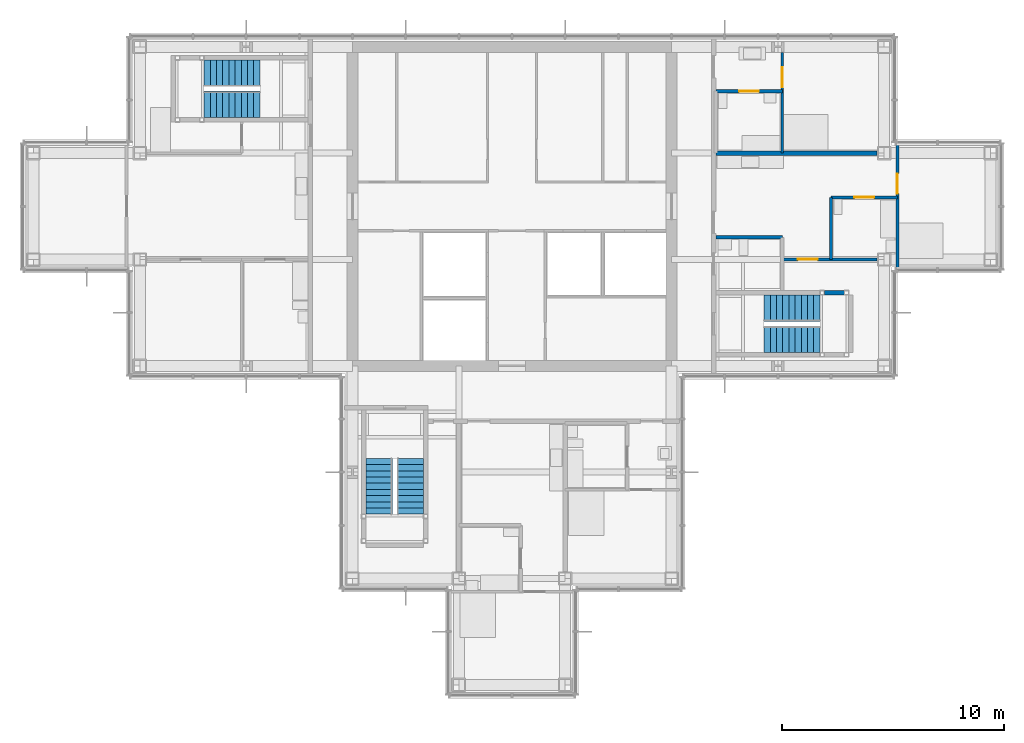
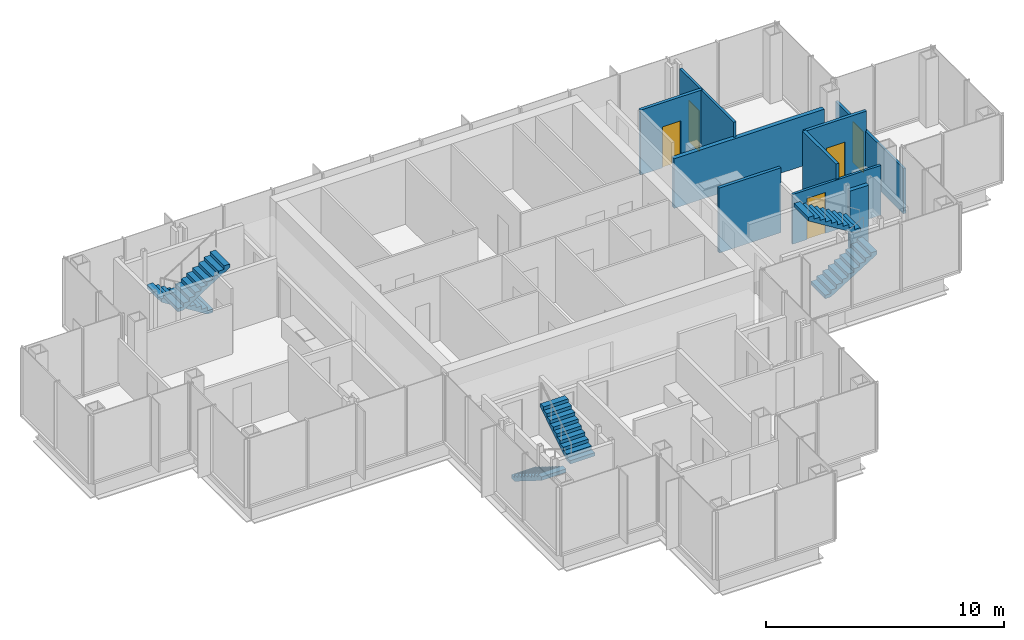
# One storey, part 12 of 15: 9 walls, 6 stair flights, 5 doors, 5 openings, 3 elements without a shape of their own.
"""IFC4 building model written with IfcOpenShell, lengths in metres."""

from ifc_helpers import new_model, si_unit, direction, frame, frame_2d, origin, place, context, subcontext, project, spatial, polyline, rectangle, outline, extrude, material, layer, layer_set, type_object, element, fill, aggregate, save


model = new_model("IFC4")

# Units and contexts
model_context = context("Model", 3, precision=1e-05, world=origin(), true_north=direction((0.0, 1.0)))
body_context = subcontext(model_context, "Body", "Model", "MODEL_VIEW")
ifc_project = project(units=[si_unit("LENGTHUNIT", "METRE"), si_unit("AREAUNIT", "SQUARE_METRE"), si_unit("VOLUMEUNIT", "CUBIC_METRE"), si_unit("PLANEANGLEUNIT", "RADIAN"), si_unit("MASSUNIT", "GRAM", prefix="KILO")], contexts=[model_context])

# Site, building, storey
site_placement = place(None, origin())
site = spatial("IfcSite", under=ifc_project, at=site_placement, CompositionType="ELEMENT")
building_placement = place(site_placement, origin())
building = spatial("IfcBuilding", under=site, at=building_placement, Name="Kvirike Care Tower", CompositionType="ELEMENT")
storey_placement = place(building_placement, frame((0.0, 0.0, 215.5)))
storey = spatial("IfcBuildingStorey", under=building, at=storey_placement, Name="L59", CompositionType="ELEMENT", Elevation=215.5)

# Wall
ifc_material_1 = material(Name="Moisture-resistant board partition", Category="gypsum")
ifc_layer_1 = layer(ifc_material_1, 0.14990234375)
ifc_layer_set_1 = layer_set([ifc_layer_1], Name="BATHROOM WALL 150")
wall_type_1 = type_object("IfcWallType", Name="BATHROOM WALL 150", PredefinedType="PARTITIONING", material=ifc_layer_set_1)
wall_1_placement = place(storey_placement, frame((33.800048828125, 34.60009765625, 0.0), z_axis=(0.0, 0.0, 1.0), x_axis=(-1.0, 0.0, 0.0)))
element("IfcWall", 1, at=wall_1_placement, inside=storey, type_object=wall_type_1, Name="Bathroom Wall 150 L59", PredefinedType="PARTITIONING", context=body_context, shape_type="SweptSolid", body=[
    extrude(rectangle(XDim=3.0, YDim=0.14990234375, at=frame_2d((1.5, 0.0))), origin(), (0.0, 0.0, 1.0), 3.330078125),
])

# Wall, opening, door
wall_2_placement = place(storey_placement, frame((39.0, 36.39990234375, 0.0), z_axis=(0.0, 0.0, 1.0), x_axis=(-1.0, 0.0, 0.0)))
wall_2 = element("IfcWall", 2, at=wall_2_placement, inside=storey, type_object=wall_type_1, Name="Bathroom Wall 150 L59", PredefinedType="PARTITIONING", context=body_context, shape_type="SweptSolid", body=[
    extrude(rectangle(XDim=3.0, YDim=0.14990234375, at=frame_2d((1.5, 0.0))), origin(), (0.0, 0.0, 1.0), 3.330078125),
])
opening_1_placement = place(wall_2_placement, frame((1.050048828125, 0.0, 0.0)))
opening_1 = element("IfcOpeningElement", 3, at=opening_1_placement, cuts=wall_2, Name="Opening 59-015", PredefinedType="OPENING", context=body_context, shape_type="SweptSolid", body=[
    extrude(rectangle(XDim=0.89990234375, YDim=2.10009765625, at=frame_2d((0.449951171875, 1.050048828125))), frame((0.0, 0.08544921875, 0.0), z_axis=(0.0, -1.0, 0.0), x_axis=(1.0, 0.0, 0.0)), (0.0, 0.0, 1.0), 0.1708984375),
])
ifc_material_2 = material(Name="Timber door set", Category="wood")
door_type_1 = type_object("IfcDoorType", Name="BATHROOM DOOR 900", OperationType="SINGLE_SWING_RIGHT", PredefinedType="DOOR", material=ifc_material_2)
door_1_placement = place(opening_1_placement, origin())
door_1 = element("IfcDoor", 4, at=door_1_placement, inside=storey, type_object=door_type_1, Name="Bathroom door", OperationType="SINGLE_SWING_RIGHT", OverallHeight=2.10009765625, OverallWidth=0.89990234375, PredefinedType="DOOR", context=body_context, shape_type="SweptSolid", body=[
    extrude(rectangle(XDim=0.89990234375, YDim=2.10009765625, at=frame_2d((0.449951171875, 1.050048828125))), frame((0.0, 0.02197265625, 0.0), z_axis=(0.0, -1.0, 0.0), x_axis=(1.0, 0.0, 0.0)), (0.0, 0.0, 1.0), 0.0439453125),
])
fill(opening_1, door_1)

# Wall
wall_3_placement = place(storey_placement, frame((36.0, 33.60009765625, 0.0), z_axis=(0.0, 0.0, 1.0), x_axis=(0.0, 1.0, 0.0)))
element("IfcWall", 5, at=wall_3_placement, inside=storey, type_object=wall_type_1, Name="Bathroom Wall 150 L59", PredefinedType="PARTITIONING", context=body_context, shape_type="SweptSolid", body=[
    extrude(rectangle(XDim=2.7998046875, YDim=0.14990234375, at=frame_2d((1.39990234375, 0.0))), origin(), (0.0, 0.0, 1.0), 3.330078125),
])

# Wall, opening, door
wall_4_placement = place(storey_placement, frame((33.800048828125, 41.199951171875, 0.0), z_axis=(0.0, 0.0, 1.0), x_axis=(-1.0, 0.0, 0.0)))
wall_4 = element("IfcWall", 6, at=wall_4_placement, inside=storey, type_object=wall_type_1, Name="Bathroom Wall 150 L59", PredefinedType="PARTITIONING", context=body_context, shape_type="SweptSolid", body=[
    extrude(rectangle(XDim=3.0, YDim=0.14990234375, at=frame_2d((1.5, 0.0))), origin(), (0.0, 0.0, 1.0), 3.330078125),
])
opening_2_placement = place(wall_4_placement, frame((1.050048828125, 0.0, 0.0)))
opening_2 = element("IfcOpeningElement", 7, at=opening_2_placement, cuts=wall_4, Name="Opening 59-018", PredefinedType="OPENING", context=body_context, shape_type="SweptSolid", body=[
    extrude(rectangle(XDim=0.89990234375, YDim=2.10009765625, at=frame_2d((0.449951171875, 1.050048828125))), frame((0.0, 0.08544921875, 0.0), z_axis=(0.0, -1.0, 0.0), x_axis=(1.0, 0.0, 0.0)), (0.0, 0.0, 1.0), 0.1708984375),
])
door_2_placement = place(opening_2_placement, frame((0.89990234375, 0.0, 0.0), z_axis=(0.0, 0.0, 1.0), x_axis=(-1.0, 0.0, 0.0)))
door_2 = element("IfcDoor", 8, at=door_2_placement, inside=storey, type_object=door_type_1, Name="Bathroom door", OperationType="SINGLE_SWING_LEFT", OverallHeight=2.10009765625, OverallWidth=0.89990234375, PredefinedType="DOOR", context=body_context, shape_type="SweptSolid", body=[
    extrude(rectangle(XDim=0.89990234375, YDim=2.10009765625, at=frame_2d((0.449951171875, 1.050048828125))), frame((0.0, 0.02197265625, 0.0), z_axis=(0.0, -1.0, 0.0), x_axis=(1.0, 0.0, 0.0)), (0.0, 0.0, 1.0), 0.0439453125),
])
fill(opening_2, door_2)

ifc_material_3 = material(Name="Plasterboard partition", Category="gypsum")
ifc_layer_2 = layer(ifc_material_3, 0.1201171875)
ifc_layer_set_2 = layer_set([ifc_layer_2], Name="PARTITION 120")
wall_type_2 = type_object("IfcWallType", Name="PARTITION 120", PredefinedType="PARTITIONING", material=ifc_layer_set_2)
wall_5_placement = place(storey_placement, frame((39.0, 33.14501953125, 0.0), z_axis=(0.0, 0.0, 1.0), x_axis=(0.0, 1.0, 0.0)))
wall_5 = element("IfcWall", 9, at=wall_5_placement, inside=storey, type_object=wall_type_2, Name="Partition 120 L59", PredefinedType="PARTITIONING", context=body_context, shape_type="SweptSolid", body=[
    extrude(rectangle(XDim=5.7099609375, YDim=0.1201171875, at=frame_2d((2.85498046875, 0.0))), origin(), (0.0, 0.0, 1.0), 2.320068359375),
])
opening_3_placement = place(wall_5_placement, frame((3.429931640625, 0.0, 0.0)))
opening_3 = element("IfcOpeningElement", 10, at=opening_3_placement, cuts=wall_5, Name="Opening 59-016", PredefinedType="OPENING", context=body_context, shape_type="SweptSolid", body=[
    extrude(rectangle(XDim=0.89990234375, YDim=2.10009765625, at=frame_2d((0.449951171875, 1.050048828125))), frame((0.0, 0.070556640625, 0.0), z_axis=(0.0, -1.0, 0.0), x_axis=(1.0, 0.0, 0.0)), (0.0, 0.0, 1.0), 0.14111328125),
])
ifc_material_4 = material(Name="Timber door set", Category="wood")
door_type_2 = type_object("IfcDoorType", Name="INTERNAL DOOR 900", OperationType="SINGLE_SWING_LEFT", PredefinedType="DOOR", material=ifc_material_4)
door_3_placement = place(opening_3_placement, frame((0.89990234375, 0.0, 0.0), z_axis=(0.0, 0.0, 1.0), x_axis=(-1.0, 0.0, 0.0)))
door_3 = element("IfcDoor", 11, at=door_3_placement, inside=storey, type_object=door_type_2, Name="Apartment bedroom door", OperationType="SINGLE_SWING_RIGHT", OverallHeight=2.10009765625, OverallWidth=0.89990234375, PredefinedType="DOOR", context=body_context, shape_type="SweptSolid", body=[
    extrude(rectangle(XDim=0.89990234375, YDim=2.10009765625, at=frame_2d((0.449951171875, 1.050048828125))), frame((0.0, 0.02197265625, 0.0), z_axis=(0.0, -1.0, 0.0), x_axis=(1.0, 0.0, 0.0)), (0.0, 0.0, 1.0), 0.0439453125),
])
fill(opening_3, door_3)

wall_6_placement = place(storey_placement, frame((38.080078125, 33.60009765625, 0.0), z_axis=(0.0, 0.0, 1.0), x_axis=(-1.0, 0.0, 0.0)))
wall_6 = element("IfcWall", 12, at=wall_6_placement, inside=storey, type_object=wall_type_2, Name="Partition 120 L59", PredefinedType="PARTITIONING", context=body_context, shape_type="SweptSolid", body=[
    extrude(rectangle(XDim=4.280029296875, YDim=0.1201171875, at=frame_2d((2.14013671875, 0.0))), origin(), (0.0, 0.0, 1.0), 2.550048828125),
])
opening_4_placement = place(wall_6_placement, frame((2.679931640625, 0.0, 0.0)))
opening_4 = element("IfcOpeningElement", 13, at=opening_4_placement, cuts=wall_6, Name="Opening 59-017", PredefinedType="OPENING", context=body_context, shape_type="SweptSolid", body=[
    extrude(rectangle(XDim=0.89990234375, YDim=2.10009765625, at=frame_2d((0.449951171875, 1.050048828125))), frame((0.0, 0.070556640625, 0.0), z_axis=(0.0, -1.0, 0.0), x_axis=(1.0, 0.0, 0.0)), (0.0, 0.0, 1.0), 0.14111328125),
])
door_4_placement = place(opening_4_placement, origin())
door_4 = element("IfcDoor", 14, at=door_4_placement, inside=storey, type_object=door_type_2, Name="Connecting door", OperationType="SINGLE_SWING_LEFT", OverallHeight=2.10009765625, OverallWidth=0.89990234375, PredefinedType="DOOR", context=body_context, shape_type="SweptSolid", body=[
    extrude(rectangle(XDim=0.89990234375, YDim=2.10009765625, at=frame_2d((0.449951171875, 1.050048828125))), frame((0.0, 0.02197265625, 0.0), z_axis=(0.0, -1.0, 0.0), x_axis=(1.0, 0.0, 0.0)), (0.0, 0.0, 1.0), 0.0439453125),
])
fill(opening_4, door_4)

wall_7_placement = place(storey_placement, frame((33.800048828125, 38.39990234375, 0.0), z_axis=(0.0, 0.0, 1.0), x_axis=(0.0, 1.0, 0.0)))
wall_7 = element("IfcWall", 15, at=wall_7_placement, inside=storey, type_object=wall_type_2, Name="Partition 120 L59", PredefinedType="PARTITIONING", context=body_context, shape_type="SweptSolid", body=[
    extrude(rectangle(XDim=4.552978515625, YDim=0.1201171875, at=frame_2d((2.2763671875, 0.0))), origin(), (0.0, 0.0, 1.0), 3.330078125),
])
opening_5_placement = place(wall_7_placement, frame((2.97509765625, 0.0, 0.0)))
opening_5 = element("IfcOpeningElement", 16, at=opening_5_placement, cuts=wall_7, Name="Opening 59-019", PredefinedType="OPENING", context=body_context, shape_type="SweptSolid", body=[
    extrude(rectangle(XDim=0.89990234375, YDim=2.10009765625, at=frame_2d((0.449951171875, 1.050048828125))), frame((0.0, 0.070556640625, 0.0), z_axis=(0.0, -1.0, 0.0), x_axis=(1.0, 0.0, 0.0)), (0.0, 0.0, 1.0), 0.14111328125),
])
door_5_placement = place(opening_5_placement, origin())
door_5 = element("IfcDoor", 17, at=door_5_placement, inside=storey, type_object=door_type_2, Name="Studio apartment living room door", OperationType="SINGLE_SWING_RIGHT", OverallHeight=2.10009765625, OverallWidth=0.89990234375, PredefinedType="DOOR", context=body_context, shape_type="SweptSolid", body=[
    extrude(rectangle(XDim=0.89990234375, YDim=2.10009765625, at=frame_2d((0.449951171875, 1.050048828125))), frame((0.0, 0.02197265625, 0.0), z_axis=(0.0, -1.0, 0.0), x_axis=(1.0, 0.0, 0.0)), (0.0, 0.0, 1.0), 0.0439453125),
])
fill(opening_5, door_5)

# Walls
ifc_material_5 = material(Name="Plasterboard party wall", Category="gypsum")
ifc_layer_3 = layer(ifc_material_5, 0.199951171875)
ifc_layer_set_3 = layer_set([ifc_layer_3], Name="PARTY WALL 200")
wall_type_3 = type_object("IfcWallType", Name="PARTY WALL 200", PredefinedType="PARTITIONING", material=ifc_layer_set_3)
wall_8_placement = place(storey_placement, frame((38.080078125, 38.39990234375, 0.0), z_axis=(0.0, 0.0, 1.0), x_axis=(-1.0, 0.0, 0.0)))
element("IfcWall", 18, at=wall_8_placement, inside=storey, type_object=wall_type_3, Name="Party Wall 200 L59", PredefinedType="PARTITIONING", context=body_context, shape_type="SweptSolid", body=[
    extrude(rectangle(XDim=7.280029296875, YDim=0.199951171875, at=frame_2d((3.64013671875, 0.0))), origin(), (0.0, 0.0, 1.0), 2.550048828125),
])
ifc_material_6 = material(Name="Concrete C40/50", Category="concrete")
ifc_layer_4 = layer(ifc_material_6, 0.199951171875)
ifc_layer_set_4 = layer_set([ifc_layer_4], Name="STAIR WALL 200")
wall_type_4 = type_object("IfcWallType", Name="STAIR WALL 200", PredefinedType="SOLIDWALL", material=ifc_layer_set_4)
wall_9_placement = place(storey_placement, frame((36.60009765625, 32.10009765625, 0.0), z_axis=(0.0, 0.0, 1.0), x_axis=(-1.0, 0.0, 0.0)))
element("IfcWall", 19, at=wall_9_placement, inside=storey, type_object=wall_type_4, Name="Stair Wall 200 L59", PredefinedType="SOLIDWALL", context=body_context, shape_type="SweptSolid", body=[
    extrude(rectangle(XDim=0.900146484375, YDim=0.199951171875, at=frame_2d((0.4501953125, 0.0))), origin(), (0.0, 0.0, 1.0), 2.989990234375),
])

# Stair, stair flights
ifc_material_7 = material(Name="Concrete C35/45", Category="concrete")
stair_type = type_object("IfcStairType", Name="STAIR 20 RISERS", PredefinedType="HALF_TURN_STAIR", material=ifc_material_7)
stair_1_placement = place(storey_placement, origin())
stair_1 = element("IfcStair", 20, at=stair_1_placement, inside=storey, type_object=stair_type, Name="Stair 1 L59", PredefinedType="HALF_TURN_STAIR")
ifc_material_8 = material(Name="Concrete C35/45", Category="concrete")
stair_flight_type = type_object("IfcStairFlightType", Name="FLIGHT 10 RISERS", PredefinedType="STRAIGHT", material=ifc_material_8)
stair_flight_1_placement = place(storey_placement, frame((10.219970703125, 42.0, 0.0), z_axis=(0.0, 0.0, 1.0), x_axis=(-1.0, 0.0, 0.0)))
stair_flight_1 = element("IfcStairFlight", 21, at=stair_flight_1_placement, type_object=stair_flight_type, Name="Stair S1 flight 1 L59-L60", NumberOfRisers=10, NumberOfTreads=9, PredefinedType="STRAIGHT", RiserHeight=0.175, TreadLength=0.28, context=body_context, shape_type="SweptSolid", body=[
    extrude(outline(polyline([(0.0, 0.0), (0.0, 0.175048828125), (0.280029296875, 0.175048828125), (0.280029296875, 0.35009765625), (0.56005859375, 0.35009765625), (0.56005859375, 0.52490234375), (0.840087890625, 0.52490234375), (0.840087890625, 0.699951171875), (1.1201171875, 0.699951171875), (1.1201171875, 0.875), (1.39990234375, 0.875), (1.39990234375, 1.050048828125), (1.679931640625, 1.050048828125), (1.679931640625, 1.22509765625), (1.9599609375, 1.22509765625), (1.9599609375, 1.39990234375), (2.239990234375, 1.39990234375), (2.239990234375, 1.574951171875), (2.52001953125, 1.574951171875), (2.52001953125, 1.75), (2.52001953125, 1.398193359375), (0.28271484375, 0.0), (0.0, 0.0)])), frame((0.0, 0.60009765625, 0.0), z_axis=(0.0, -1.0, 0.0), x_axis=(1.0, 0.0, 0.0)), (0.0, 0.0, 1.0), 1.199951171875),
])
stair_flight_2_placement = place(storey_placement, frame((7.699951171875, 40.60009765625, 1.75), z_axis=(0.0, 0.0, 1.0), x_axis=(1.0, 0.0, 0.0)))
stair_flight_2 = element("IfcStairFlight", 22, at=stair_flight_2_placement, type_object=stair_flight_type, Name="Stair S1 flight 2 L59-L60", NumberOfRisers=10, NumberOfTreads=9, PredefinedType="STRAIGHT", RiserHeight=0.175, TreadLength=0.28, context=body_context, shape_type="SweptSolid", body=[
    extrude(outline(polyline([(0.0, 0.0), (0.0, 0.175048828125), (0.280029296875, 0.175048828125), (0.280029296875, 0.35009765625), (0.56005859375, 0.35009765625), (0.56005859375, 0.52490234375), (0.840087890625, 0.52490234375), (0.840087890625, 0.699951171875), (1.1201171875, 0.699951171875), (1.1201171875, 0.875), (1.39990234375, 0.875), (1.39990234375, 1.050048828125), (1.679931640625, 1.050048828125), (1.679931640625, 1.22509765625), (1.9599609375, 1.22509765625), (1.9599609375, 1.39990234375), (2.239990234375, 1.39990234375), (2.239990234375, 1.574951171875), (2.52001953125, 1.574951171875), (2.52001953125, 1.75), (2.52001953125, 1.398193359375), (0.28271484375, 0.0), (0.0, 0.0)])), frame((0.0, 0.60009765625, 0.0), z_axis=(0.0, -1.0, 0.0), x_axis=(1.0, 0.0, 0.0)), (0.0, 0.0, 1.0), 1.199951171875),
])
aggregate(stair_1, [stair_flight_1, stair_flight_2])

stair_2_placement = place(storey_placement, origin())
stair_2 = element("IfcStair", 23, at=stair_2_placement, inside=storey, type_object=stair_type, Name="Stair 2 L59", PredefinedType="HALF_TURN_STAIR")
stair_flight_3_placement = place(storey_placement, frame((32.97998046875, 30.0, 0.0), z_axis=(0.0, 0.0, 1.0), x_axis=(1.0, 0.0, 0.0)))
stair_flight_3 = element("IfcStairFlight", 24, at=stair_flight_3_placement, type_object=stair_flight_type, Name="Stair S2 flight 1 L59-L60", NumberOfRisers=10, NumberOfTreads=9, PredefinedType="STRAIGHT", RiserHeight=0.175, TreadLength=0.28, context=body_context, shape_type="SweptSolid", body=[
    extrude(outline(polyline([(0.0, 0.0), (0.0, 0.175048828125), (0.280029296875, 0.175048828125), (0.280029296875, 0.35009765625), (0.56005859375, 0.35009765625), (0.56005859375, 0.52490234375), (0.840087890625, 0.52490234375), (0.840087890625, 0.699951171875), (1.1201171875, 0.699951171875), (1.1201171875, 0.875), (1.39990234375, 0.875), (1.39990234375, 1.050048828125), (1.679931640625, 1.050048828125), (1.679931640625, 1.22509765625), (1.9599609375, 1.22509765625), (1.9599609375, 1.39990234375), (2.239990234375, 1.39990234375), (2.239990234375, 1.574951171875), (2.52001953125, 1.574951171875), (2.52001953125, 1.75), (2.52001953125, 1.398193359375), (0.28271484375, 0.0), (0.0, 0.0)])), frame((0.0, 0.60009765625, 0.0), z_axis=(0.0, -1.0, 0.0), x_axis=(1.0, 0.0, 0.0)), (0.0, 0.0, 1.0), 1.199951171875),
])
stair_flight_4_placement = place(storey_placement, frame((35.5, 31.39990234375, 1.75), z_axis=(0.0, 0.0, 1.0), x_axis=(-1.0, 0.0, 0.0)))
stair_flight_4 = element("IfcStairFlight", 25, at=stair_flight_4_placement, type_object=stair_flight_type, Name="Stair S2 flight 2 L59-L60", NumberOfRisers=10, NumberOfTreads=9, PredefinedType="STRAIGHT", RiserHeight=0.175, TreadLength=0.28, context=body_context, shape_type="SweptSolid", body=[
    extrude(outline(polyline([(0.0, 0.0), (0.0, 0.175048828125), (0.280029296875, 0.175048828125), (0.280029296875, 0.35009765625), (0.56005859375, 0.35009765625), (0.56005859375, 0.52490234375), (0.840087890625, 0.52490234375), (0.840087890625, 0.699951171875), (1.1201171875, 0.699951171875), (1.1201171875, 0.875), (1.39990234375, 0.875), (1.39990234375, 1.050048828125), (1.679931640625, 1.050048828125), (1.679931640625, 1.22509765625), (1.9599609375, 1.22509765625), (1.9599609375, 1.39990234375), (2.239990234375, 1.39990234375), (2.239990234375, 1.574951171875), (2.52001953125, 1.574951171875), (2.52001953125, 1.75), (2.52001953125, 1.398193359375), (0.28271484375, 0.0), (0.0, 0.0)])), frame((0.0, 0.60009765625, 0.0), z_axis=(0.0, -1.0, 0.0), x_axis=(1.0, 0.0, 0.0)), (0.0, 0.0, 1.0), 1.199951171875),
])
aggregate(stair_2, [stair_flight_3, stair_flight_4])

stair_3_placement = place(storey_placement, origin())
stair_3 = element("IfcStair", 26, at=stair_3_placement, inside=storey, type_object=stair_type, Name="Stair 5 L59", PredefinedType="HALF_TURN_STAIR")
stair_flight_5_placement = place(storey_placement, frame((15.60009765625, 24.6201171875, 0.0), z_axis=(0.0, 0.0, 1.0), x_axis=(0.0, -1.0, 0.0)))
stair_flight_5 = element("IfcStairFlight", 27, at=stair_flight_5_placement, type_object=stair_flight_type, Name="Stair S5 flight 1 L59-L60", NumberOfRisers=10, NumberOfTreads=9, PredefinedType="STRAIGHT", RiserHeight=0.175, TreadLength=0.28, context=body_context, shape_type="SweptSolid", body=[
    extrude(outline(polyline([(0.0, 0.0), (0.0, 0.175048828125), (0.280029296875, 0.175048828125), (0.280029296875, 0.35009765625), (0.56005859375, 0.35009765625), (0.56005859375, 0.52490234375), (0.840087890625, 0.52490234375), (0.840087890625, 0.699951171875), (1.1201171875, 0.699951171875), (1.1201171875, 0.875), (1.39990234375, 0.875), (1.39990234375, 1.050048828125), (1.679931640625, 1.050048828125), (1.679931640625, 1.22509765625), (1.9599609375, 1.22509765625), (1.9599609375, 1.39990234375), (2.239990234375, 1.39990234375), (2.239990234375, 1.574951171875), (2.52001953125, 1.574951171875), (2.52001953125, 1.75), (2.52001953125, 1.398193359375), (0.28271484375, 0.0), (0.0, 0.0)])), frame((0.0, 0.60009765625, 0.0), z_axis=(0.0, -1.0, 0.0), x_axis=(1.0, 0.0, 0.0)), (0.0, 0.0, 1.0), 1.199951171875),
])
stair_flight_6_placement = place(storey_placement, frame((17.0, 22.10009765625, 1.75), z_axis=(0.0, 0.0, 1.0), x_axis=(0.0, 1.0, 0.0)))
stair_flight_6 = element("IfcStairFlight", 28, at=stair_flight_6_placement, type_object=stair_flight_type, Name="Stair S5 flight 2 L59-L60", NumberOfRisers=10, NumberOfTreads=9, PredefinedType="STRAIGHT", RiserHeight=0.175, TreadLength=0.28, context=body_context, shape_type="SweptSolid", body=[
    extrude(outline(polyline([(0.0, 0.0), (0.0, 0.175048828125), (0.280029296875, 0.175048828125), (0.280029296875, 0.35009765625), (0.56005859375, 0.35009765625), (0.56005859375, 0.52490234375), (0.840087890625, 0.52490234375), (0.840087890625, 0.699951171875), (1.1201171875, 0.699951171875), (1.1201171875, 0.875), (1.39990234375, 0.875), (1.39990234375, 1.050048828125), (1.679931640625, 1.050048828125), (1.679931640625, 1.22509765625), (1.9599609375, 1.22509765625), (1.9599609375, 1.39990234375), (2.239990234375, 1.39990234375), (2.239990234375, 1.574951171875), (2.52001953125, 1.574951171875), (2.52001953125, 1.75), (2.52001953125, 1.398193359375), (0.28271484375, 0.0), (0.0, 0.0)])), frame((0.0, 0.60009765625, 0.0), z_axis=(0.0, -1.0, 0.0), x_axis=(1.0, 0.0, 0.0)), (0.0, 0.0, 1.0), 1.199951171875),
])
aggregate(stair_3, [stair_flight_5, stair_flight_6])

save(model, "model.ifc")
